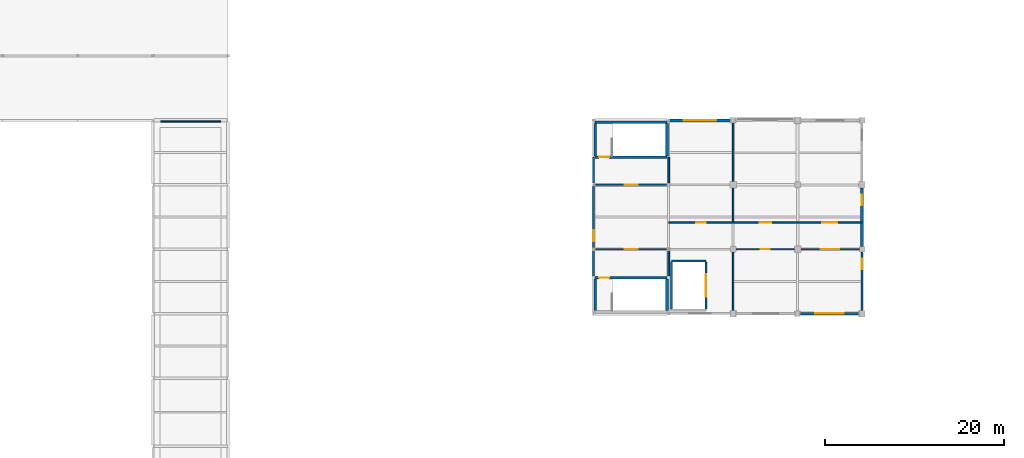
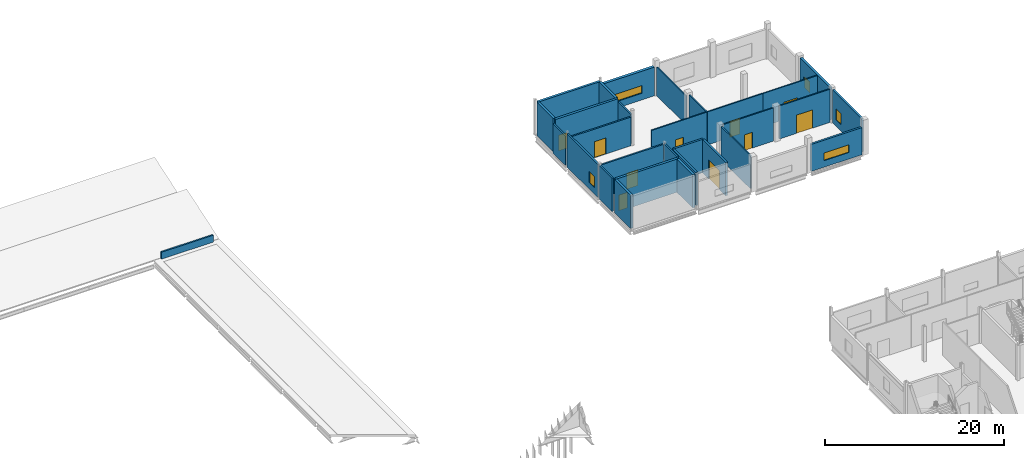
# One storey, part 53 of 72: 30 walls, 10 doors, 5 windows, 15 openings.
"""IFC4 building model written with IfcOpenShell, lengths in metres."""

from ifc_helpers import new_model, si_unit, direction, frame, frame_2d, origin, place, context, subcontext, project, spatial, rectangle, extrude, material, layer, layer_set, type_object, element, fill, save


model = new_model("IFC4")

# Units and contexts
model_context = context("Model", 3, precision=1e-05, world=origin(), true_north=direction((0.0, 1.0)))
body_context = subcontext(model_context, "Body", "Model", "MODEL_VIEW")
ifc_project = project(units=[si_unit("LENGTHUNIT", "METRE"), si_unit("AREAUNIT", "SQUARE_METRE"), si_unit("VOLUMEUNIT", "CUBIC_METRE"), si_unit("PLANEANGLEUNIT", "RADIAN"), si_unit("MASSUNIT", "GRAM", prefix="KILO")], contexts=[model_context])

# Site, building, storey
site_placement = place(None, origin())
site = spatial("IfcSite", under=ifc_project, at=site_placement, CompositionType="ELEMENT")
building_placement = place(site_placement, origin())
building = spatial("IfcBuilding", under=site, at=building_placement, Name="Calvrana Isthmian Art Gallery", CompositionType="ELEMENT")
storey_placement = place(building_placement, frame((0.0, 0.0, 15.0)))
storey = spatial("IfcBuildingStorey", under=building, at=storey_placement, Name="L03", CompositionType="ELEMENT", Elevation=15.0)

# Wall, opening, door
ifc_material_1 = material(Name="Concrete C40/50", Category="concrete")
ifc_layer_1 = layer(ifc_material_1, 0.300048828125, Name="Concrete C40/50")
ifc_layer_set_1 = layer_set([ifc_layer_1], Name="Concrete C40/50")
wall_type_1 = type_object("IfcWallType", Name="CW-SHAFT-300", PredefinedType="SHEAR", material=ifc_layer_set_1)
wall_1_placement = place(storey_placement, frame((104.590087890625, 80.820068359375, 0.0), z_axis=(0.0, 0.0, 1.0), x_axis=(1.0, 0.0, 0.0)))
wall_1 = element("IfcWall", 1, at=wall_1_placement, inside=storey, type_object=wall_type_1, Name="Core C5 shear wall N L03", PredefinedType="SHEAR", context=body_context, shape_type="SweptSolid", body=[
    extrude(rectangle(XDim=8.02001953125, YDim=0.300048828125, at=frame_2d((4.010009765625, 0.0))), origin(), (0.0, 0.0, 1.0), 4.5400390625),
])
opening_1_placement = place(wall_1_placement, frame((0.449951171875, 0.0, 0.0)))
opening_1 = element("IfcOpeningElement", 2, at=opening_1_placement, cuts=wall_1, Name="Opening D-164", PredefinedType="OPENING", context=body_context, shape_type="SweptSolid", body=[
    extrude(rectangle(XDim=1.10009765625, YDim=2.14990234375, at=frame_2d((0.550048828125, 1.074951171875))), frame((0.0, 0.16015625, 0.0), z_axis=(0.0, -1.0, 0.0), x_axis=(1.0, 0.0, 0.0)), (0.0, 0.0, 1.0), 0.320556640625),
])
ifc_material_2 = material(Name="Steel ASTM A572 Gr 50", Category="steel")
door_type_1 = type_object("IfcDoorType", Name="DR-FIRE-1100", OperationType="NOTDEFINED", PredefinedType="DOOR", material=ifc_material_2)
door_1_placement = place(opening_1_placement, origin())
door_1 = element("IfcDoor", 3, at=door_1_placement, inside=storey, type_object=door_type_1, Name="Stair ST-5 fire door L03", OperationType="SINGLE_SWING_LEFT", OverallHeight=2.14990234375, OverallWidth=1.10009765625, PredefinedType="DOOR", context=body_context, shape_type="SweptSolid", body=[
    extrude(rectangle(XDim=1.10009765625, YDim=2.14990234375, at=frame_2d((0.550048828125, 1.074951171875))), frame((0.0, 0.02490234375, 0.0), z_axis=(0.0, -1.0, 0.0), x_axis=(1.0, 0.0, 0.0)), (0.0, 0.0, 1.0), 0.050048828125),
])
fill(opening_1, door_1)

# Walls
for number, where, z_axis, x_axis, name in (
    (4, (104.590087890625, 77.14990234375, 0.0), (0.0, 0.0, 1.0), (0.0, 1.0, 0.0), "Core C5 shear wall W L03"),
    (5, (112.610107421875, 77.14990234375, 0.0), (0.0, 0.0, 1.0), (0.0, 1.0, 0.0), "Core C5 shear wall E L03"),
):
    element("IfcWall", number, at=place(storey_placement, frame(where, z_axis=z_axis, x_axis=x_axis)), inside=storey, type_object=wall_type_1, Name=name, PredefinedType="SHEAR", context=body_context, shape_type="SweptSolid", body=[
        extrude(rectangle(XDim=3.52001953125, YDim=0.300048828125, at=frame_2d((1.760009765625, 0.0))), origin(), (0.0, 0.0, 1.0), 4.5400390625),
    ])

# Wall, opening, door
wall_2_placement = place(storey_placement, frame((104.590087890625, 94.280029296875, 0.0), z_axis=(0.0, 0.0, 1.0), x_axis=(1.0, 0.0, 0.0)))
wall_2 = element("IfcWall", 6, at=wall_2_placement, inside=storey, type_object=wall_type_1, Name="Core C8 shear wall S L03", PredefinedType="SHEAR", context=body_context, shape_type="SweptSolid", body=[
    extrude(rectangle(XDim=8.02001953125, YDim=0.300048828125, at=frame_2d((4.010009765625, 0.0))), origin(), (0.0, 0.0, 1.0), 4.5400390625),
])
opening_2_placement = place(wall_2_placement, frame((0.449951171875, 0.0, 0.0)))
opening_2 = element("IfcOpeningElement", 7, at=opening_2_placement, cuts=wall_2, Name="Opening D-188", PredefinedType="OPENING", context=body_context, shape_type="SweptSolid", body=[
    extrude(rectangle(XDim=1.10009765625, YDim=2.14990234375, at=frame_2d((0.550048828125, 1.074951171875))), frame((0.0, 0.16015625, 0.0), z_axis=(0.0, -1.0, 0.0), x_axis=(1.0, 0.0, 0.0)), (0.0, 0.0, 1.0), 0.320556640625),
])
door_2_placement = place(opening_2_placement, origin())
door_2 = element("IfcDoor", 8, at=door_2_placement, inside=storey, type_object=door_type_1, Name="Stair ST-8 fire door L03", OperationType="SINGLE_SWING_LEFT", OverallHeight=2.14990234375, OverallWidth=1.10009765625, PredefinedType="DOOR", context=body_context, shape_type="SweptSolid", body=[
    extrude(rectangle(XDim=1.10009765625, YDim=2.14990234375, at=frame_2d((0.550048828125, 1.074951171875))), frame((0.0, 0.02490234375, 0.0), z_axis=(0.0, -1.0, 0.0), x_axis=(1.0, 0.0, 0.0)), (0.0, 0.0, 1.0), 0.050048828125),
])
fill(opening_2, door_2)

# Walls
wall_3_placement = place(storey_placement, frame((104.590087890625, 98.179931640625, 0.0), z_axis=(0.0, 0.0, 1.0), x_axis=(1.0, 0.0, 0.0)))
element("IfcWall", 9, at=wall_3_placement, inside=storey, type_object=wall_type_1, Name="Core C8 shear wall N L03", PredefinedType="SHEAR", context=body_context, shape_type="SweptSolid", body=[
    extrude(rectangle(XDim=8.02001953125, YDim=0.300048828125, at=frame_2d((4.010009765625, 0.0))), origin(), (0.0, 0.0, 1.0), 4.5400390625),
])
for number, where, z_axis, x_axis, name in (
    (10, (104.590087890625, 94.429931640625, 0.0), (0.0, 0.0, 1.0), (0.0, 1.0, 0.0), "Core C8 shear wall W L03"),
    (11, (112.610107421875, 94.429931640625, 0.0), (0.0, 0.0, 1.0), (0.0, 1.0, 0.0), "Core C8 shear wall E L03"),
):
    element("IfcWall", number, at=place(storey_placement, frame(where, z_axis=z_axis, x_axis=x_axis)), inside=storey, type_object=wall_type_1, Name=name, PredefinedType="SHEAR", context=body_context, shape_type="SweptSolid", body=[
        extrude(rectangle(XDim=3.60009765625, YDim=0.300048828125, at=frame_2d((1.800048828125, 0.0))), origin(), (0.0, 0.0, 1.0), 4.5400390625),
    ])

# Wall, opening, window
ifc_material_3 = material(Name="Precast concrete C40/50", Category="concrete")
ifc_layer_2 = layer(ifc_material_3, 0.219970703125, Name="Precast concrete C40/50")
ifc_layer_set_2 = layer_set([ifc_layer_2], Name="Precast concrete C40/50")
wall_type_2 = type_object("IfcWallType", Name="EW-ACOUST-220", PredefinedType="SOLIDWALL", material=ifc_layer_set_2)
wall_4_placement = place(storey_placement, frame((104.39990234375, 84.15234375, 0.0), z_axis=(0.0, 0.0, 1.0), x_axis=(0.0, 1.0, 0.0)))
wall_4 = element("IfcWall", 12, at=wall_4_placement, inside=storey, type_object=wall_type_2, Name="Exterior wall EW-168", PredefinedType="SOLIDWALL", context=body_context, shape_type="SweptSolid", body=[
    extrude(rectangle(XDim=6.946044921875, YDim=0.219970703125, at=frame_2d((3.47314453125, 0.0))), origin(), (0.0, 0.0, 1.0), 4.5400390625),
])
opening_3_placement = place(wall_4_placement, frame((0.75, 0.0, 0.89990234375)))
opening_3 = element("IfcOpeningElement", 13, at=opening_3_placement, cuts=wall_4, Name="Opening W-124", PredefinedType="OPENING", context=body_context, shape_type="SweptSolid", body=[
    extrude(rectangle(XDim=1.199951171875, YDim=1.5, at=frame_2d((0.60009765625, 0.75))), frame((0.0, 0.1201171875, 0.0), z_axis=(0.0, -1.0, 0.0), x_axis=(1.0, 0.0, 0.0)), (0.0, 0.0, 1.0), 0.240478515625),
])
ifc_material_4 = material(Name="Low-E laminated solar glass", Category="glass")
window_type_1 = type_object("IfcWindowType", Name="WN-G01", PartitioningType="SINGLE_PANEL", PredefinedType="WINDOW", material=ifc_material_4)
window_1_placement = place(opening_3_placement, origin())
window_1 = element("IfcWindow", 14, at=window_1_placement, inside=storey, type_object=window_type_1, Name="Facade window W-124", OverallHeight=1.5, OverallWidth=1.199951171875, PartitioningType="SINGLE_PANEL", PredefinedType="WINDOW", context=body_context, shape_type="SweptSolid", body=[
    extrude(rectangle(XDim=1.199951171875, YDim=1.5, at=frame_2d((0.60009765625, 0.75))), frame((0.0, 0.030029296875, 0.0), z_axis=(0.0, -1.0, 0.0), x_axis=(1.0, 0.0, 0.0)), (0.0, 0.0, 1.0), 0.06005859375),
])
fill(opening_3, window_1)

wall_5_placement = place(storey_placement, frame((134.39990234375, 83.699951171875, 0.0), z_axis=(0.0, 0.0, 1.0), x_axis=(0.0, -1.0, 0.0)))
wall_5 = element("IfcWall", 15, at=wall_5_placement, inside=storey, type_object=wall_type_2, Name="Exterior wall EW-172", PredefinedType="SOLIDWALL", context=body_context, shape_type="SweptSolid", body=[
    extrude(rectangle(XDim=6.550048828125, YDim=0.219970703125, at=frame_2d((3.27490234375, 0.0))), origin(), (0.0, 0.0, 1.0), 4.5400390625),
])
opening_4_placement = place(wall_5_placement, frame((0.75, 0.0, 0.89990234375)))
opening_4 = element("IfcOpeningElement", 16, at=opening_4_placement, cuts=wall_5, Name="Opening W-128", PredefinedType="OPENING", context=body_context, shape_type="SweptSolid", body=[
    extrude(rectangle(XDim=1.199951171875, YDim=1.5, at=frame_2d((0.60009765625, 0.75))), frame((0.0, 0.1201171875, 0.0), z_axis=(0.0, -1.0, 0.0), x_axis=(1.0, 0.0, 0.0)), (0.0, 0.0, 1.0), 0.240478515625),
])
window_2_placement = place(opening_4_placement, origin())
window_2 = element("IfcWindow", 17, at=window_2_placement, inside=storey, type_object=window_type_1, Name="Facade window W-128", OverallHeight=1.5, OverallWidth=1.199951171875, PartitioningType="SINGLE_PANEL", PredefinedType="WINDOW", context=body_context, shape_type="SweptSolid", body=[
    extrude(rectangle(XDim=1.199951171875, YDim=1.5, at=frame_2d((0.60009765625, 0.75))), frame((0.0, 0.030029296875, 0.0), z_axis=(0.0, -1.0, 0.0), x_axis=(1.0, 0.0, 0.0)), (0.0, 0.0, 1.0), 0.06005859375),
])
fill(opening_4, window_2)

ifc_material_5 = material(Name="Pale Isthmian limestone", Category="masonry")
ifc_layer_3 = layer(ifc_material_5, 0.300048828125, Name="Pale Isthmian limestone")
ifc_layer_set_3 = layer_set([ifc_layer_3], Name="Pale Isthmian limestone")
wall_type_3 = type_object("IfcWallType", Name="EW-LIME-300", PredefinedType="SOLIDWALL", material=ifc_layer_set_3)
wall_6_placement = place(storey_placement, frame((134.39990234375, 90.85009765625, 0.0), z_axis=(0.0, 0.0, 1.0), x_axis=(0.0, -1.0, 0.0)))
wall_6 = element("IfcWall", 18, at=wall_6_placement, inside=storey, type_object=wall_type_3, Name="Exterior wall EW-173", PredefinedType="SOLIDWALL", context=body_context, shape_type="SweptSolid", body=[
    extrude(rectangle(XDim=6.550048828125, YDim=0.300048828125, at=frame_2d((3.27490234375, 0.0))), origin(), (0.0, 0.0, 1.0), 4.5400390625),
])
opening_5_placement = place(wall_6_placement, frame((0.75, 0.0, 0.89990234375)))
opening_5 = element("IfcOpeningElement", 19, at=opening_5_placement, cuts=wall_6, Name="Opening W-129", PredefinedType="OPENING", context=body_context, shape_type="SweptSolid", body=[
    extrude(rectangle(XDim=1.199951171875, YDim=1.5, at=frame_2d((0.60009765625, 0.75))), frame((0.0, 0.16015625, 0.0), z_axis=(0.0, -1.0, 0.0), x_axis=(1.0, 0.0, 0.0)), (0.0, 0.0, 1.0), 0.320556640625),
])
window_3_placement = place(opening_5_placement, origin())
window_3 = element("IfcWindow", 20, at=window_3_placement, inside=storey, type_object=window_type_1, Name="Facade window W-129", OverallHeight=1.5, OverallWidth=1.199951171875, PartitioningType="SINGLE_PANEL", PredefinedType="WINDOW", context=body_context, shape_type="SweptSolid", body=[
    extrude(rectangle(XDim=1.199951171875, YDim=1.5, at=frame_2d((0.60009765625, 0.75))), frame((0.0, 0.030029296875, 0.0), z_axis=(0.0, -1.0, 0.0), x_axis=(1.0, 0.0, 0.0)), (0.0, 0.0, 1.0), 0.06005859375),
])
fill(opening_5, window_3)

ifc_layer_4 = layer(ifc_material_3, 0.35009765625, Name="Precast concrete C40/50")
ifc_layer_set_4 = layer_set([ifc_layer_4], Name="Precast concrete C40/50")
wall_type_4 = type_object("IfcWallType", Name="EW-PREC-350", PredefinedType="SOLIDWALL", material=ifc_layer_set_4)
wall_7_placement = place(storey_placement, frame((112.901611328125, 98.39990234375, 0.0), z_axis=(0.0, 0.0, 1.0), x_axis=(1.0, 0.0, 0.0)))
wall_7 = element("IfcWall", 21, at=wall_7_placement, inside=storey, type_object=wall_type_4, Name="Exterior wall EW-159", PredefinedType="SOLIDWALL", context=body_context, shape_type="SweptSolid", body=[
    extrude(rectangle(XDim=6.79833984375, YDim=0.35009765625, at=frame_2d((3.399169921875, 0.0))), origin(), (0.0, 0.0, 1.0), 3.9130859375),
])
opening_6_placement = place(wall_7_placement, frame((1.59912109375, 0.0, 0.89990234375)))
opening_6 = element("IfcOpeningElement", 22, at=opening_6_placement, cuts=wall_7, Name="Opening W-115", PredefinedType="OPENING", context=body_context, shape_type="SweptSolid", body=[
    extrude(rectangle(XDim=3.60009765625, YDim=1.050048828125, at=frame_2d((1.800048828125, 0.52490234375))), frame((0.0, 0.185302734375, 0.0), z_axis=(0.0, -1.0, 0.0), x_axis=(1.0, 0.0, 0.0)), (0.0, 0.0, 1.0), 0.37060546875),
])
window_type_2 = type_object("IfcWindowType", Name="WN-C06", PartitioningType="DOUBLE_PANEL_VERTICAL", PredefinedType="WINDOW", material=ifc_material_4)
window_4_placement = place(opening_6_placement, origin())
window_4 = element("IfcWindow", 23, at=window_4_placement, inside=storey, type_object=window_type_2, Name="Facade window W-115", OverallHeight=1.050048828125, OverallWidth=3.60009765625, PartitioningType="SINGLE_PANEL", PredefinedType="WINDOW", context=body_context, shape_type="SweptSolid", body=[
    extrude(rectangle(XDim=3.60009765625, YDim=1.050048828125, at=frame_2d((1.800048828125, 0.52490234375))), frame((0.0, 0.030029296875, 0.0), z_axis=(0.0, -1.0, 0.0), x_axis=(1.0, 0.0, 0.0)), (0.0, 0.0, 1.0), 0.06005859375),
])
fill(opening_6, window_4)

ifc_material_6 = material(Name="Polychrome glazed terracotta", Category="masonry")
ifc_layer_5 = layer(ifc_material_6, 0.25, Name="Polychrome glazed terracotta")
ifc_layer_set_5 = layer_set([ifc_layer_5], Name="Polychrome glazed terracotta")
wall_type_5 = type_object("IfcWallType", Name="EW-TERRA-250", PredefinedType="SOLIDWALL", material=ifc_layer_set_5)
wall_8_placement = place(storey_placement, frame((134.050048828125, 76.800048828125, 0.0), z_axis=(0.0, 0.0, 1.0), x_axis=(-1.0, 0.0, 0.0)))
wall_8 = element("IfcWall", 24, at=wall_8_placement, inside=storey, type_object=wall_type_5, Name="Exterior wall EW-158", PredefinedType="SOLIDWALL", context=body_context, shape_type="SweptSolid", body=[
    extrude(rectangle(XDim=6.550048828125, YDim=0.25, at=frame_2d((3.27490234375, 0.0))), origin(), (0.0, 0.0, 1.0), 3.695068359375),
])
opening_7_placement = place(wall_8_placement, frame((1.675048828125, 0.0, 0.89990234375)))
opening_7 = element("IfcOpeningElement", 25, at=opening_7_placement, cuts=wall_8, Name="Opening W-114", PredefinedType="OPENING", context=body_context, shape_type="SweptSolid", body=[
    extrude(rectangle(XDim=3.199951171875, YDim=1.050048828125, at=frame_2d((1.60009765625, 0.52490234375))), frame((0.0, 0.13525390625, 0.0), z_axis=(0.0, -1.0, 0.0), x_axis=(1.0, 0.0, 0.0)), (0.0, 0.0, 1.0), 0.2705078125),
])
window_type_3 = type_object("IfcWindowType", Name="WN-C05", PartitioningType="DOUBLE_PANEL_VERTICAL", PredefinedType="WINDOW", material=ifc_material_4)
window_5_placement = place(opening_7_placement, origin())
window_5 = element("IfcWindow", 26, at=window_5_placement, inside=storey, type_object=window_type_3, Name="Facade window W-114", OverallHeight=1.050048828125, OverallWidth=3.199951171875, PartitioningType="SINGLE_PANEL", PredefinedType="WINDOW", context=body_context, shape_type="SweptSolid", body=[
    extrude(rectangle(XDim=3.199951171875, YDim=1.050048828125, at=frame_2d((1.60009765625, 0.52490234375))), frame((0.0, 0.030029296875, 0.0), z_axis=(0.0, -1.0, 0.0), x_axis=(1.0, 0.0, 0.0)), (0.0, 0.0, 1.0), 0.06005859375),
])
fill(opening_7, window_5)

# Walls
ifc_material_7 = material(Name="Acoustic gypsum ceiling", Category="gypsum")
ifc_layer_6 = layer(ifc_material_7, 0.199951171875, Name="Acoustic gypsum ceiling")
ifc_layer_set_6 = layer_set([ifc_layer_6], Name="Acoustic gypsum ceiling")
wall_type_6 = type_object("IfcWallType", Name="PW-FIRE-200", PredefinedType="PARTITIONING", material=ifc_layer_set_6)
for number, where, z_axis, x_axis, name in (
    (27, (104.39990234375, 81.0400390625, 0.0), (0.0, 0.0, 1.0), (0.0, 1.0, 0.0), "Core C5 lobby W closure L03"),
    (28, (112.800048828125, 81.0400390625, 0.0), (0.0, 0.0, 1.0), (0.0, 1.0, 0.0), "Core C5 lobby E closure L03"),
):
    element("IfcWall", number, at=place(storey_placement, frame(where, z_axis=z_axis, x_axis=x_axis)), inside=storey, type_object=wall_type_6, Name=name, PredefinedType="PARTITIONING", context=body_context, shape_type="SweptSolid", body=[
        extrude(rectangle(XDim=2.93994140625, YDim=0.199951171875, at=frame_2d((1.469970703125, 0.0))), origin(), (0.0, 0.0, 1.0), 4.5400390625),
    ])

# Wall, opening, door
wall_9_placement = place(storey_placement, frame((104.6201171875, 84.0, 0.0), z_axis=(0.0, 0.0, 1.0), x_axis=(1.0, 0.0, 0.0)))
wall_9 = element("IfcWall", 29, at=wall_9_placement, inside=storey, type_object=wall_type_6, Name="Core C5 lobby enclosure L03", PredefinedType="PARTITIONING", context=body_context, shape_type="SweptSolid", body=[
    extrude(rectangle(XDim=7.9599609375, YDim=0.199951171875, at=frame_2d((3.97998046875, 0.0))), origin(), (0.0, 0.0, 1.0), 4.5400390625),
])
opening_8_placement = place(wall_9_placement, frame((3.2548828125, 0.0, 0.0)))
opening_8 = element("IfcOpeningElement", 30, at=opening_8_placement, cuts=wall_9, Name="Opening D-165", PredefinedType="OPENING", context=body_context, shape_type="SweptSolid", body=[
    extrude(rectangle(XDim=1.449951171875, YDim=2.199951171875, at=frame_2d((0.72509765625, 1.10009765625))), frame((0.0, 0.1103515625, 0.0), z_axis=(0.0, -1.0, 0.0), x_axis=(1.0, 0.0, 0.0)), (0.0, 0.0, 1.0), 0.220458984375),
])
door_type_2 = type_object("IfcDoorType", Name="DR-LOBBY-1450", OperationType="DOUBLE_DOOR_SINGLE_SWING", PredefinedType="DOOR", material=ifc_material_2)
door_3_placement = place(opening_8_placement, origin())
door_3 = element("IfcDoor", 31, at=door_3_placement, inside=storey, type_object=door_type_2, Name="Core C5 lobby fire door L03", OperationType="DOUBLE_DOOR_SINGLE_SWING", OverallHeight=2.199951171875, OverallWidth=1.449951171875, PredefinedType="DOOR", context=body_context, shape_type="SweptSolid", body=[
    extrude(rectangle(XDim=1.449951171875, YDim=2.199951171875, at=frame_2d((0.72509765625, 1.10009765625))), frame((0.0, 0.02490234375, 0.0), z_axis=(0.0, -1.0, 0.0), x_axis=(1.0, 0.0, 0.0)), (0.0, 0.0, 1.0), 0.050048828125),
])
fill(opening_8, door_3)

# Walls
wall_10_placement = place(storey_placement, frame((104.39990234375, 91.419921875, 0.0), z_axis=(0.0, 0.0, 1.0), x_axis=(0.0, 1.0, 0.0)))
element("IfcWall", 32, at=wall_10_placement, inside=storey, type_object=wall_type_6, Name="Core C8 lobby W closure L03", PredefinedType="PARTITIONING", context=body_context, shape_type="SweptSolid", body=[
    extrude(rectangle(XDim=2.840087890625, YDim=0.199951171875, at=frame_2d((1.419921875, 0.0))), origin(), (0.0, 0.0, 1.0), 3.987060546875),
])
wall_11_placement = place(storey_placement, frame((112.800048828125, 91.419921875, 0.0), z_axis=(0.0, 0.0, 1.0), x_axis=(0.0, 1.0, 0.0)))
element("IfcWall", 33, at=wall_11_placement, inside=storey, type_object=wall_type_6, Name="Core C8 lobby E closure L03", PredefinedType="PARTITIONING", context=body_context, shape_type="SweptSolid", body=[
    extrude(rectangle(XDim=2.840087890625, YDim=0.199951171875, at=frame_2d((1.419921875, 0.0))), origin(), (0.0, 0.0, 1.0), 4.05810546875),
])

# Wall, opening, door
wall_12_placement = place(storey_placement, frame((104.6201171875, 91.199951171875, 0.0), z_axis=(0.0, 0.0, 1.0), x_axis=(1.0, 0.0, 0.0)))
wall_12 = element("IfcWall", 34, at=wall_12_placement, inside=storey, type_object=wall_type_6, Name="Core C8 lobby enclosure L03", PredefinedType="PARTITIONING", context=body_context, shape_type="SweptSolid", body=[
    extrude(rectangle(XDim=7.9599609375, YDim=0.199951171875, at=frame_2d((3.97998046875, 0.0))), origin(), (0.0, 0.0, 1.0), 3.907958984375),
])
opening_9_placement = place(wall_12_placement, frame((3.2548828125, 0.0, 0.0)))
opening_9 = element("IfcOpeningElement", 35, at=opening_9_placement, cuts=wall_12, Name="Opening D-189", PredefinedType="OPENING", context=body_context, shape_type="SweptSolid", body=[
    extrude(rectangle(XDim=1.449951171875, YDim=2.199951171875, at=frame_2d((0.72509765625, 1.10009765625))), frame((0.0, 0.1103515625, 0.0), z_axis=(0.0, -1.0, 0.0), x_axis=(1.0, 0.0, 0.0)), (0.0, 0.0, 1.0), 0.220458984375),
])
door_4_placement = place(opening_9_placement, origin())
door_4 = element("IfcDoor", 36, at=door_4_placement, inside=storey, type_object=door_type_2, Name="Core C8 lobby fire door L03", OperationType="DOUBLE_DOOR_SINGLE_SWING", OverallHeight=2.199951171875, OverallWidth=1.449951171875, PredefinedType="DOOR", context=body_context, shape_type="SweptSolid", body=[
    extrude(rectangle(XDim=1.449951171875, YDim=2.199951171875, at=frame_2d((0.72509765625, 1.10009765625))), frame((0.0, 0.02490234375, 0.0), z_axis=(0.0, -1.0, 0.0), x_axis=(1.0, 0.0, 0.0)), (0.0, 0.0, 1.0), 0.050048828125),
])
fill(opening_9, door_4)

# Wall
ifc_layer_7 = layer(ifc_material_7, 0.159912109375, Name="Acoustic gypsum ceiling")
ifc_layer_set_7 = layer_set([ifc_layer_7], Name="Acoustic gypsum ceiling")
wall_type_7 = type_object("IfcWallType", Name="PW-GAL-160", PredefinedType="PARTITIONING", material=ifc_layer_set_7)
wall_13_placement = place(storey_placement, frame((120.0, 77.1650390625, 0.0), z_axis=(0.0, 0.0, 1.0), x_axis=(0.0, 1.0, 0.0)))
element("IfcWall", 37, at=wall_13_placement, inside=storey, type_object=wall_type_7, Name="Interior partition PW-559", PredefinedType="PARTITIONING", context=body_context, shape_type="SweptSolid", body=[
    extrude(rectangle(XDim=6.52001953125, YDim=0.159912109375, at=frame_2d((3.260009765625, 0.0))), origin(), (0.0, 0.0, 1.0), 4.52001953125),
])

# Wall, opening, door
wall_14_placement = place(storey_placement, frame((120.31494140625, 84.0, 0.0), z_axis=(0.0, 0.0, 1.0), x_axis=(1.0, 0.0, 0.0)))
wall_14 = element("IfcWall", 38, at=wall_14_placement, inside=storey, type_object=wall_type_7, Name="Interior partition PW-560", PredefinedType="PARTITIONING", context=body_context, shape_type="SweptSolid", body=[
    extrude(rectangle(XDim=6.52001953125, YDim=0.159912109375, at=frame_2d((3.260009765625, 0.0))), origin(), (0.0, 0.0, 1.0), 4.52001953125),
])
opening_10_placement = place(wall_14_placement, frame((2.760009765625, 0.0, 0.0)))
opening_10 = element("IfcOpeningElement", 39, at=opening_10_placement, cuts=wall_14, Name="Opening D-489", PredefinedType="OPENING", context=body_context, shape_type="SweptSolid", body=[
    extrude(rectangle(XDim=1.0, YDim=2.14990234375, at=frame_2d((0.5, 1.074951171875))), frame((0.0, 0.09033203125, 0.0), z_axis=(0.0, -1.0, 0.0), x_axis=(1.0, 0.0, 0.0)), (0.0, 0.0, 1.0), 0.180419921875),
])
ifc_material_8 = material(Name="Timber gallery flooring", Category="wood")
door_type_3 = type_object("IfcDoorType", Name="DR-RM-1000", OperationType="NOTDEFINED", PredefinedType="DOOR", material=ifc_material_8)
door_5_placement = place(opening_10_placement, origin())
door_5 = element("IfcDoor", 40, at=door_5_placement, inside=storey, type_object=door_type_3, Name="Interior door D-489", OperationType="SINGLE_SWING_RIGHT", OverallHeight=2.14990234375, OverallWidth=1.0, PredefinedType="DOOR", context=body_context, shape_type="SweptSolid", body=[
    extrude(rectangle(XDim=1.0, YDim=2.14990234375, at=frame_2d((0.5, 1.074951171875))), frame((0.0, 0.02490234375, 0.0), z_axis=(0.0, -1.0, 0.0), x_axis=(1.0, 0.0, 0.0)), (0.0, 0.0, 1.0), 0.050048828125),
])
fill(opening_10, door_5)

wall_15_placement = place(storey_placement, frame((127.56494140625, 84.0, 0.0), z_axis=(0.0, 0.0, 1.0), x_axis=(1.0, 0.0, 0.0)))
wall_15 = element("IfcWall", 41, at=wall_15_placement, inside=storey, type_object=wall_type_7, Name="Interior partition PW-561", PredefinedType="PARTITIONING", context=body_context, shape_type="SweptSolid", body=[
    extrude(rectangle(XDim=6.52001953125, YDim=0.159912109375, at=frame_2d((3.260009765625, 0.0))), origin(), (0.0, 0.0, 1.0), 4.52001953125),
])
opening_11_placement = place(wall_15_placement, frame((2.2099609375, 0.0, 0.0)))
opening_11 = element("IfcOpeningElement", 42, at=opening_11_placement, cuts=wall_15, Name="Opening D-490", PredefinedType="OPENING", context=body_context, shape_type="SweptSolid", body=[
    extrude(rectangle(XDim=2.10009765625, YDim=2.5, at=frame_2d((1.050048828125, 1.25))), frame((0.0, 0.09033203125, 0.0), z_axis=(0.0, -1.0, 0.0), x_axis=(1.0, 0.0, 0.0)), (0.0, 0.0, 1.0), 0.180419921875),
])
door_type_4 = type_object("IfcDoorType", Name="DR-GAL-2100", OperationType="DOUBLE_DOOR_SINGLE_SWING", PredefinedType="DOOR", material=ifc_material_8)
door_6_placement = place(opening_11_placement, origin())
door_6 = element("IfcDoor", 43, at=door_6_placement, inside=storey, type_object=door_type_4, Name="Interior door D-490", OperationType="DOUBLE_DOOR_SINGLE_SWING", OverallHeight=2.5, OverallWidth=2.10009765625, PredefinedType="DOOR", context=body_context, shape_type="SweptSolid", body=[
    extrude(rectangle(XDim=2.10009765625, YDim=2.5, at=frame_2d((1.050048828125, 1.25))), frame((0.0, 0.02490234375, 0.0), z_axis=(0.0, -1.0, 0.0), x_axis=(1.0, 0.0, 0.0)), (0.0, 0.0, 1.0), 0.050048828125),
])
fill(opening_11, door_6)

wall_16_placement = place(storey_placement, frame((112.81005859375, 87.010009765625, 0.0), z_axis=(0.0, 0.0, 1.0), x_axis=(1.0, 0.0, 0.0)))
wall_16 = element("IfcWall", 44, at=wall_16_placement, inside=storey, type_object=wall_type_7, Name="Interior partition PW-562", PredefinedType="PARTITIONING", context=body_context, shape_type="SweptSolid", body=[
    extrude(rectangle(XDim=7.179931640625, YDim=0.159912109375, at=frame_2d((3.58984375, 0.0))), origin(), (0.0, 0.0, 1.0), 4.52001953125),
])
opening_12_placement = place(wall_16_placement, frame((3.06494140625, 0.0, 0.0)))
opening_12 = element("IfcOpeningElement", 45, at=opening_12_placement, cuts=wall_16, Name="Opening D-491", PredefinedType="OPENING", context=body_context, shape_type="SweptSolid", body=[
    extrude(rectangle(XDim=1.050048828125, YDim=2.14990234375, at=frame_2d((0.52490234375, 1.074951171875))), frame((0.0, 0.09033203125, 0.0), z_axis=(0.0, -1.0, 0.0), x_axis=(1.0, 0.0, 0.0)), (0.0, 0.0, 1.0), 0.180419921875),
])
door_type_5 = type_object("IfcDoorType", Name="DR-RM-1050", OperationType="NOTDEFINED", PredefinedType="DOOR", material=ifc_material_8)
door_7_placement = place(opening_12_placement, origin())
door_7 = element("IfcDoor", 46, at=door_7_placement, inside=storey, type_object=door_type_5, Name="Interior door D-491", OperationType="SINGLE_SWING_LEFT", OverallHeight=2.14990234375, OverallWidth=1.050048828125, PredefinedType="DOOR", context=body_context, shape_type="SweptSolid", body=[
    extrude(rectangle(XDim=1.050048828125, YDim=2.14990234375, at=frame_2d((0.52490234375, 1.074951171875))), frame((0.0, 0.02490234375, 0.0), z_axis=(0.0, -1.0, 0.0), x_axis=(1.0, 0.0, 0.0)), (0.0, 0.0, 1.0), 0.050048828125),
])
fill(opening_12, door_7)

# Walls
wall_17_placement = place(storey_placement, frame((120.0, 87.02001953125, 0.0), z_axis=(0.0, 0.0, 1.0), x_axis=(0.0, 1.0, 0.0)))
element("IfcWall", 47, at=wall_17_placement, inside=storey, type_object=wall_type_7, Name="Interior partition PW-563", PredefinedType="PARTITIONING", context=body_context, shape_type="SweptSolid", body=[
    extrude(rectangle(XDim=3.81494140625, YDim=0.159912109375, at=frame_2d((1.907470703125, 0.0))), origin(), (0.0, 0.0, 1.0), 4.52001953125),
])
wall_18_placement = place(storey_placement, frame((120.0, 91.56494140625, 0.0), z_axis=(0.0, 0.0, 1.0), x_axis=(0.0, 1.0, 0.0)))
element("IfcWall", 48, at=wall_18_placement, inside=storey, type_object=wall_type_7, Name="Interior partition PW-564", PredefinedType="PARTITIONING", context=body_context, shape_type="SweptSolid", body=[
    extrude(rectangle(XDim=6.52001953125, YDim=0.159912109375, at=frame_2d((3.260009765625, 0.0))), origin(), (0.0, 0.0, 1.0), 3.907958984375),
])

# Wall, opening, door
wall_19_placement = place(storey_placement, frame((120.010009765625, 87.010009765625, 0.0), z_axis=(0.0, 0.0, 1.0), x_axis=(1.0, 0.0, 0.0)))
wall_19 = element("IfcWall", 49, at=wall_19_placement, inside=storey, type_object=wall_type_7, Name="Interior partition PW-565", PredefinedType="PARTITIONING", context=body_context, shape_type="SweptSolid", body=[
    extrude(rectangle(XDim=7.179931640625, YDim=0.159912109375, at=frame_2d((3.58984375, 0.0))), origin(), (0.0, 0.0, 1.0), 4.52001953125),
])
opening_13_placement = place(wall_19_placement, frame((2.93994140625, 0.0, 0.0)))
opening_13 = element("IfcOpeningElement", 50, at=opening_13_placement, cuts=wall_19, Name="Opening D-492", PredefinedType="OPENING", context=body_context, shape_type="SweptSolid", body=[
    extrude(rectangle(XDim=1.300048828125, YDim=2.199951171875, at=frame_2d((0.64990234375, 1.10009765625))), frame((0.0, 0.09033203125, 0.0), z_axis=(0.0, -1.0, 0.0), x_axis=(1.0, 0.0, 0.0)), (0.0, 0.0, 1.0), 0.180419921875),
])
door_type_6 = type_object("IfcDoorType", Name="DR-RM-1300", OperationType="NOTDEFINED", PredefinedType="DOOR", material=ifc_material_8)
door_8_placement = place(opening_13_placement, origin())
door_8 = element("IfcDoor", 51, at=door_8_placement, inside=storey, type_object=door_type_6, Name="Interior door D-492", OperationType="SINGLE_SWING_RIGHT", OverallHeight=2.199951171875, OverallWidth=1.300048828125, PredefinedType="DOOR", context=body_context, shape_type="SweptSolid", body=[
    extrude(rectangle(XDim=1.300048828125, YDim=2.199951171875, at=frame_2d((0.64990234375, 1.10009765625))), frame((0.0, 0.02490234375, 0.0), z_axis=(0.0, -1.0, 0.0), x_axis=(1.0, 0.0, 0.0)), (0.0, 0.0, 1.0), 0.050048828125),
])
fill(opening_13, door_8)

wall_20_placement = place(storey_placement, frame((127.2099609375, 87.010009765625, 0.0), z_axis=(0.0, 0.0, 1.0), x_axis=(1.0, 0.0, 0.0)))
wall_20 = element("IfcWall", 52, at=wall_20_placement, inside=storey, type_object=wall_type_7, Name="Interior partition PW-566", PredefinedType="PARTITIONING", context=body_context, shape_type="SweptSolid", body=[
    extrude(rectangle(XDim=7.130126953125, YDim=0.159912109375, at=frame_2d((3.56494140625, 0.0))), origin(), (0.0, 0.0, 1.0), 4.52001953125),
])
opening_14_placement = place(wall_20_placement, frame((2.715087890625, 0.0, 0.0)))
opening_14 = element("IfcOpeningElement", 53, at=opening_14_placement, cuts=wall_20, Name="Opening D-493", PredefinedType="OPENING", context=body_context, shape_type="SweptSolid", body=[
    extrude(rectangle(XDim=1.699951171875, YDim=2.39990234375, at=frame_2d((0.85009765625, 1.199951171875))), frame((0.0, 0.09033203125, 0.0), z_axis=(0.0, -1.0, 0.0), x_axis=(1.0, 0.0, 0.0)), (0.0, 0.0, 1.0), 0.180419921875),
])
door_type_7 = type_object("IfcDoorType", Name="DR-GAL-1700", OperationType="DOUBLE_DOOR_SINGLE_SWING", PredefinedType="DOOR", material=ifc_material_8)
door_9_placement = place(opening_14_placement, origin())
door_9 = element("IfcDoor", 54, at=door_9_placement, inside=storey, type_object=door_type_7, Name="Interior door D-493", OperationType="DOUBLE_DOOR_SINGLE_SWING", OverallHeight=2.39990234375, OverallWidth=1.699951171875, PredefinedType="DOOR", context=body_context, shape_type="SweptSolid", body=[
    extrude(rectangle(XDim=1.699951171875, YDim=2.39990234375, at=frame_2d((0.85009765625, 1.199951171875))), frame((0.0, 0.02490234375, 0.0), z_axis=(0.0, -1.0, 0.0), x_axis=(1.0, 0.0, 0.0)), (0.0, 0.0, 1.0), 0.050048828125),
])
fill(opening_14, door_9)

# Walls
ifc_material_9 = material(Name="Concrete C35/45", Category="concrete")
ifc_layer_8 = layer(ifc_material_9, 0.25, Name="Concrete C35/45")
ifc_layer_set_8 = layer_set([ifc_layer_8], Name="Concrete C35/45")
wall_type_8 = type_object("IfcWallType", Name="PW-SHAFT-250", PredefinedType="PARTITIONING", material=ifc_layer_set_8)
wall_21_placement = place(storey_placement, frame((113.1201171875, 82.679931640625, 0.0), z_axis=(0.0, 0.0, 1.0), x_axis=(1.0, 0.0, 0.0)))
element("IfcWall", 55, at=wall_21_placement, inside=storey, type_object=wall_type_8, Name="Goods lift L-G2 shaft N L03", PredefinedType="PARTITIONING", context=body_context, shape_type="SweptSolid", body=[
    extrude(rectangle(XDim=3.85986328125, YDim=0.25, at=frame_2d((1.929931640625, 0.0))), origin(), (0.0, 0.0, 1.0), 4.5400390625),
])
wall_22_placement = place(storey_placement, frame((113.1201171875, 77.35009765625, 0.0), z_axis=(0.0, 0.0, 1.0), x_axis=(0.0, 1.0, 0.0)))
element("IfcWall", 56, at=wall_22_placement, inside=storey, type_object=wall_type_8, Name="Goods lift L-G2 shaft W L03", PredefinedType="PARTITIONING", context=body_context, shape_type="SweptSolid", body=[
    extrude(rectangle(XDim=5.199951171875, YDim=0.25, at=frame_2d((2.60009765625, 0.0))), origin(), (0.0, 0.0, 1.0), 4.5400390625),
])

# Wall, opening, door
wall_23_placement = place(storey_placement, frame((116.97998046875, 77.35009765625, 0.0), z_axis=(0.0, 0.0, 1.0), x_axis=(0.0, 1.0, 0.0)))
wall_23 = element("IfcWall", 57, at=wall_23_placement, inside=storey, type_object=wall_type_8, Name="Goods lift L-G2 shaft E L03", PredefinedType="PARTITIONING", context=body_context, shape_type="SweptSolid", body=[
    extrude(rectangle(XDim=5.199951171875, YDim=0.25, at=frame_2d((2.60009765625, 0.0))), origin(), (0.0, 0.0, 1.0), 4.5400390625),
])
opening_15_placement = place(wall_23_placement, frame((1.35009765625, 0.0, 0.0)))
opening_15 = element("IfcOpeningElement", 58, at=opening_15_placement, cuts=wall_23, Name="Opening LD-G2-L03", PredefinedType="OPENING", context=body_context, shape_type="SweptSolid", body=[
    extrude(rectangle(XDim=2.5, YDim=2.60009765625, at=frame_2d((1.25, 1.300048828125))), frame((0.0, 0.13525390625, 0.0), z_axis=(0.0, -1.0, 0.0), x_axis=(1.0, 0.0, 0.0)), (0.0, 0.0, 1.0), 0.2705078125),
])
ifc_material_10 = material(Name="Stainless steel 316", Category="steel")
door_type_8 = type_object("IfcDoorType", Name="DR-GLIFT-2500", OperationType="DOUBLE_DOOR_SLIDING", PredefinedType="DOOR", material=ifc_material_10)
door_10_placement = place(opening_15_placement, origin())
door_10 = element("IfcDoor", 59, at=door_10_placement, inside=storey, type_object=door_type_8, Name="Freight goods lift L-G2 sliding door L03", OperationType="DOUBLE_DOOR_SLIDING", OverallHeight=2.60009765625, OverallWidth=2.5, PredefinedType="DOOR", context=body_context, shape_type="SweptSolid", body=[
    extrude(rectangle(XDim=2.5, YDim=2.60009765625, at=frame_2d((1.25, 1.300048828125))), frame((0.0, 0.02490234375, 0.0), z_axis=(0.0, -1.0, 0.0), x_axis=(1.0, 0.0, 0.0)), (0.0, 0.0, 1.0), 0.050048828125),
])
fill(opening_15, door_10)

# Wall
ifc_layer_9 = layer(ifc_material_5, 0.199951171875, Name="Pale Isthmian limestone")
ifc_layer_set_9 = layer_set([ifc_layer_9], Name="Pale Isthmian limestone")
wall_type_9 = type_object("IfcWallType", Name="WL-PARA-200", PredefinedType="PARAPET", material=ifc_layer_set_9)
wall_24_placement = place(storey_placement, frame((56.050048828125, 98.280029296875, 0.0), z_axis=(0.0, 0.0, 1.0), x_axis=(1.0, 0.0, 0.0)))
element("IfcWall", 60, at=wall_24_placement, inside=storey, type_object=wall_type_9, Name="Roof parapet WP-32", PredefinedType="PARAPET", context=body_context, shape_type="SweptSolid", body=[
    extrude(rectangle(XDim=6.699951171875, YDim=0.199951171875, at=frame_2d((3.35009765625, 0.0))), origin(), (0.0, 0.0, 1.0), 0.949951171875),
])

save(model, "model.ifc")
